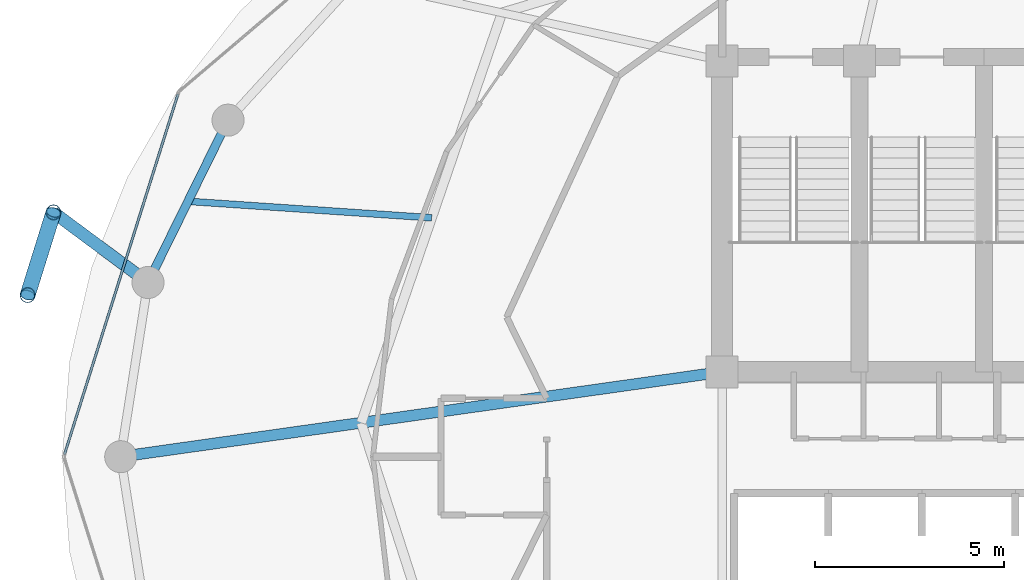
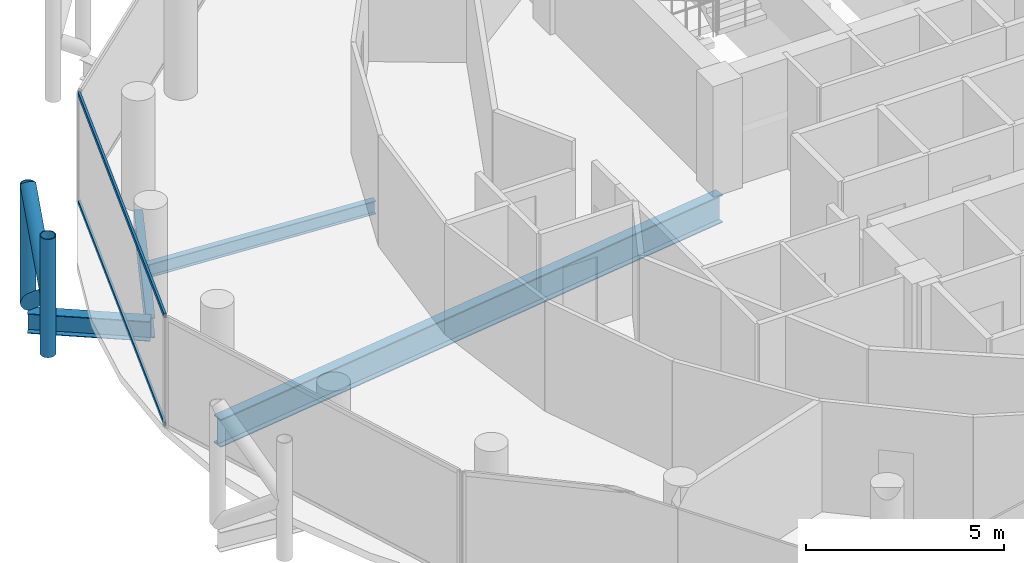
# One storey, part 8 of 27: 6 members, 4 beams, 1 element without a shape of its own.
"""IFC4 building model written with IfcOpenShell, lengths in metres."""

from ifc_helpers import new_model, si_unit, direction, frame, origin, origin_2d, place, context, subcontext, project, spatial, hollow_rectangle, hollow_circle, i_section, extrude, material, layer, layer_set, material_profile, profile_set, type_object, element, aggregate, save


model = new_model("IFC4")

# Units and contexts
model_context = context("Model", 3, precision=1e-05, world=origin(), true_north=direction((0.0, 1.0)))
body_context = subcontext(model_context, "Body", "Model", "MODEL_VIEW")
ifc_project = project(units=[si_unit("LENGTHUNIT", "METRE"), si_unit("AREAUNIT", "SQUARE_METRE"), si_unit("VOLUMEUNIT", "CUBIC_METRE"), si_unit("PLANEANGLEUNIT", "RADIAN"), si_unit("MASSUNIT", "GRAM", prefix="KILO")], contexts=[model_context])

# Site, building, storey
site_placement = place(None, origin())
site = spatial("IfcSite", under=ifc_project, at=site_placement, CompositionType="ELEMENT")
building_placement = place(site_placement, origin())
building = spatial("IfcBuilding", under=site, at=building_placement, Name="Nuhasar Tower", CompositionType="ELEMENT")
storey_placement = place(building_placement, frame((0.0, 0.0, 237.35009765625)))
storey = spatial("IfcBuildingStorey", under=building, at=storey_placement, Name="L58", CompositionType="ELEMENT", Elevation=237.35009765625)

# Beams
ifc_material_1 = material(Name="Steel S355", Category="steel")
ifc_material_profile_1 = material_profile(ifc_material_1, i_section(OverallWidth=0.177978515625, OverallDepth=0.406005859375, WebThickness=0.0078125, FlangeThickness=0.0126953125, at=origin_2d()), Name="W16X40")
ifc_profile_set_1 = profile_set([ifc_material_profile_1], Name="Steel S355")
beam_type_1 = type_object("IfcBeamType", Name="BM-JST-W16X40", PredefinedType="JOIST", material=ifc_profile_set_1)
beam_1_placement = place(storey_placement, frame((25.9970703125, 33.135986328125, -0.443115234375), z_axis=(-0.997721156568, 0.067472170095, 0.0), x_axis=(-0.067472170095, -0.997721156568, 0.0)))
element("IfcBeam", 1, at=beam_1_placement, inside=storey, type_object=beam_type_1, Name="L58 Secondary Floor Joist 07", PredefinedType="JOIST", context=body_context, shape_type="SweptSolid", body=[
    extrude(i_section(OverallWidth=0.177978515625, OverallDepth=0.406005859375, WebThickness=0.0078125, FlangeThickness=0.0126953125, at=origin_2d()), origin(), (0.0, 0.0, 1.0), 6.476806640625),
])
ifc_material_profile_2 = material_profile(ifc_material_1, i_section(OverallWidth=0.2919921875, OverallDepth=0.85888671875, WebThickness=0.01708984375, FlangeThickness=0.031005859375, at=origin_2d()), Name="W33X169")
ifc_profile_set_2 = profile_set([ifc_material_profile_2], Name="Steel S355")
beam_type_2 = type_object("IfcBeamType", Name="BM-POD-W33X169", PredefinedType="BEAM", material=ifc_profile_set_2)
beam_2_placement = place(storey_placement, frame((33.699951171875, 29.050048828125, -0.669189453125), z_axis=(-0.990196233464, -0.139683281866, 0.0), x_axis=(0.139683281866, -0.990196233464, 0.0)))
element("IfcBeam", 2, at=beam_2_placement, inside=storey, type_object=beam_type_2, Name="L58 Radial Floor Girder 08", PredefinedType="BEAM", context=body_context, shape_type="SweptSolid", body=[
    extrude(i_section(OverallWidth=0.2919921875, OverallDepth=0.85888671875, WebThickness=0.01708984375, FlangeThickness=0.031005859375, at=origin_2d()), origin(), (0.0, 0.0, 1.0), 16.10791015625),
])
ifc_material_profile_3 = material_profile(ifc_material_1, i_section(OverallWidth=0.22802734375, OverallDepth=0.60791015625, WebThickness=0.01123046875, FlangeThickness=0.017333984375, at=origin_2d()), Name="W24X76")
ifc_profile_set_3 = profile_set([ifc_material_profile_3], Name="Steel S355")
beam_type_3 = type_object("IfcBeamType", Name="BM-RING-W24X76", PredefinedType="SPANDREL", material=ifc_profile_set_3)
beam_3_placement = place(storey_placement, frame((20.596923828125, 35.72509765625, -0.544189453125), z_axis=(-0.442242604409, -0.896895467067, 0.0), x_axis=(0.896895467067, -0.442242604409, 0.0)))
element("IfcBeam", 3, at=beam_3_placement, inside=storey, type_object=beam_type_3, Name="L58 Perimeter Ring Spandrel 11", PredefinedType="SPANDREL", context=body_context, shape_type="SweptSolid", body=[
    extrude(i_section(OverallWidth=0.22802734375, OverallDepth=0.60791015625, WebThickness=0.01123046875, FlangeThickness=0.017333984375, at=origin_2d()), origin(), (0.0, 0.0, 1.0), 4.800048828125),
])
ifc_material_profile_4 = material_profile(ifc_material_1, i_section(OverallWidth=0.323974609375, OverallDepth=0.611083984375, WebThickness=0.0126953125, FlangeThickness=0.01904296875, at=origin_2d()), Name="W24X104")
ifc_profile_set_4 = profile_set([ifc_material_profile_4], Name="Steel S355")
beam_type_4 = type_object("IfcBeamType", Name="BM-TIE-W24X104", PredefinedType="BEAM", material=ifc_profile_set_4)
beam_4_placement = place(storey_placement, frame((18.47412109375, 31.419921875, -0.545166015625), z_axis=(-0.802945922723, 0.596051881285, 0.0), x_axis=(-0.596051881285, -0.802945922723, 0.0)))
element("IfcBeam", 4, at=beam_4_placement, inside=storey, type_object=beam_type_4, Name="L58 Exoskeleton Node Tie Beam 06", PredefinedType="BEAM", context=body_context, shape_type="SweptSolid", body=[
    extrude(i_section(OverallWidth=0.323974609375, OverallDepth=0.611083984375, WebThickness=0.0126953125, FlangeThickness=0.01904296875, at=origin_2d()), origin(), (0.0, 0.0, 1.0), 3.122314453125),
])

# Curtain wall, members
ifc_material_2 = material(Name="Aluminium 6063-T6", Category="aluminium")
ifc_layer = layer(ifc_material_2, 0.18994140625)
ifc_layer_set = layer_set([ifc_layer], Name="Aluminium 6063-T6")
curtain_wall_type = type_object("IfcCurtainWallType", Name="CW-Z3-RES", PredefinedType="NOTDEFINED", material=ifc_layer_set)
curtain_wall_placement = place(storey_placement, origin())
curtain_wall = element("IfcCurtainWall", 5, at=curtain_wall_placement, inside=storey, type_object=curtain_wall_type, Name="L58 Unitised Curtain Wall 06", PredefinedType="NOTDEFINED")
ifc_material_profile_5 = material_profile(ifc_material_2, hollow_rectangle(XDim=0.06494140625, YDim=0.139892578125, WallThickness=0.00439453125, at=origin_2d()), Name="CWT-4")
ifc_profile_set_5 = profile_set([ifc_material_profile_5], Name="Aluminium 6063-T6")
member_type_1 = type_object("IfcMemberType", Name="CW-TRN-S4", PredefinedType="USERDEFINED", material=ifc_profile_set_5)
member_1_placement = place(storey_placement, frame((19.26953125, 36.41796875, 0.032470703125), z_axis=(-0.300437373386, -0.953801543652, 0.0), x_axis=(0.953801543652, -0.300437373386, 0.0)))
member_1 = element("IfcMember", 6, at=member_1_placement, type_object=member_type_1, Name="CW-Z3 transom 1.1", ObjectType="TRANSOM", PredefinedType="USERDEFINED", context=body_context, shape_type="SweptSolid", body=[
    extrude(hollow_rectangle(XDim=0.06494140625, YDim=0.139892578125, WallThickness=0.00439453125, at=origin_2d()), origin(), (0.0, 0.0, 1.0), 10.018798828125),
])
member_2_placement = place(storey_placement, frame((19.26953125, 36.41796875, 3.37744140625), z_axis=(-0.300437373386, -0.953801543652, 0.0), x_axis=(0.953801543652, -0.300437373386, 0.0)))
member_2 = element("IfcMember", 7, at=member_2_placement, type_object=member_type_1, Name="CW-Z3 transom 1.2", ObjectType="TRANSOM", PredefinedType="USERDEFINED", context=body_context, shape_type="SweptSolid", body=[
    extrude(hollow_rectangle(XDim=0.06494140625, YDim=0.139892578125, WallThickness=0.00439453125, at=origin_2d()), origin(), (0.0, 0.0, 1.0), 10.018798828125),
])
aggregate(curtain_wall, [member_1, member_2])

# Members
ifc_material_3 = material(Name="Steel S460", Category="steel")
ifc_material_profile_6 = material_profile(ifc_material_3, hollow_circle(Radius=0.203125, WallThickness=0.01904296875, at=origin_2d()), Name="HSS406.4X19.1")
ifc_profile_set_6 = profile_set([ifc_material_profile_6], Name="Steel S460")
member_type_2 = type_object("IfcMemberType", Name="EXO-BRONZE-406", PredefinedType="BRACE", material=ifc_profile_set_6)
for number, where, z_axis, x_axis, name in (
    (8, (15.967041015625, 33.281005859375, 0.0), (0.0, 0.0, 1.0), (1.0, 0.0, 0.0), "L58 Exoskeleton Chord Column EC-06A"),
    (9, (15.281982421875, 31.0859375, 0.0), (0.0, 0.0, 1.0), (1.0, 0.0, 0.0), "L58 Exoskeleton Chord Column EC-06B"),
):
    element("IfcMember", number, at=place(storey_placement, frame(where, z_axis=z_axis, x_axis=x_axis)), inside=storey, type_object=member_type_2, Name=name, PredefinedType="BRACE", context=body_context, shape_type="SweptSolid", body=[
        extrude(hollow_circle(Radius=0.203125, WallThickness=0.01904296875, at=origin_2d()), origin(), (0.0, 0.0, 1.0), 3.64990234375),
    ])
for number, where, z_axis, x_axis, name in (
    (10, (15.967041015625, 33.281005859375, 0.0), (-0.233357911711, -0.747726651531, 0.621650174641), (0.954591372974, -0.297918295247, 0.0), "L58 Bronze Diagrid Brace W1-06"),
    (11, (15.281982421875, 31.0859375, 1.824951171875), (0.233357911711, 0.747726651531, 0.621650174641), (-0.954591372974, 0.297918295247, 0.0), "L58 Bronze Diagrid Brace W2-06"),
):
    element("IfcMember", number, at=place(storey_placement, frame(where, z_axis=z_axis, x_axis=x_axis)), inside=storey, type_object=member_type_2, Name=name, PredefinedType="BRACE", context=body_context, shape_type="SweptSolid", body=[
        extrude(hollow_circle(Radius=0.203125, WallThickness=0.01904296875, at=origin_2d()), origin(), (0.0, 0.0, 1.0), 2.935546875),
    ])

save(model, "model.ifc")
